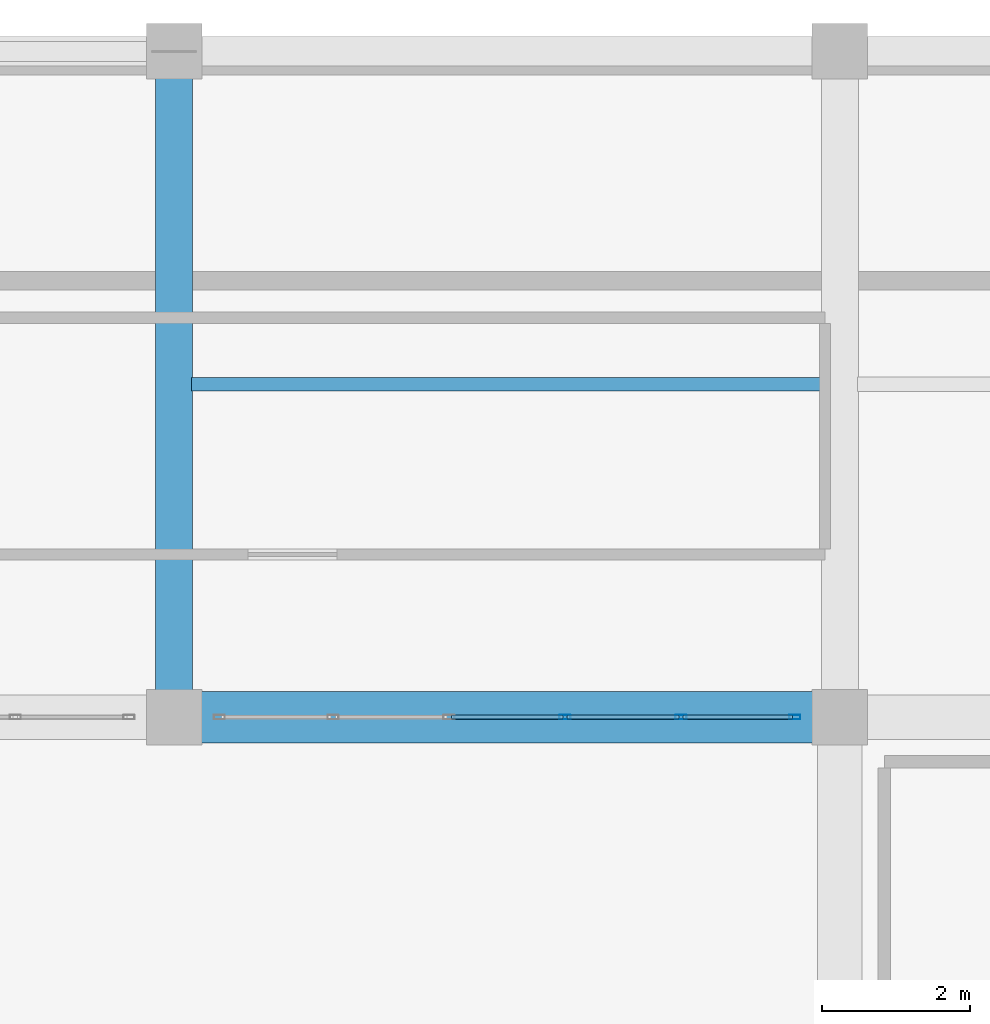
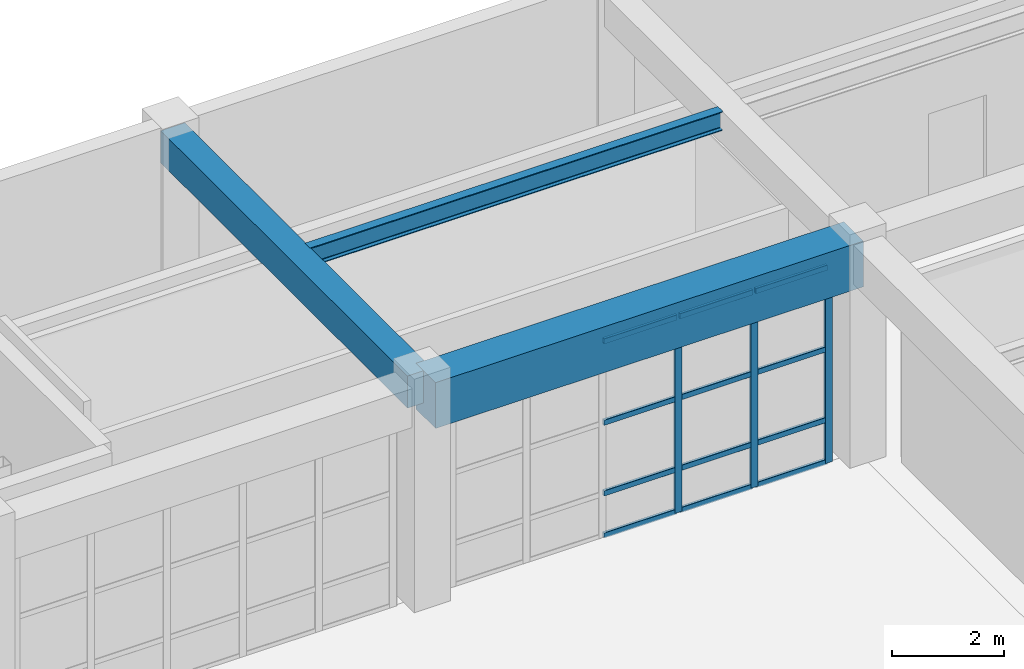
# One storey, part 82 of 128: 15 members, 3 beams, 1 element without a shape of its own.
"""IFC4 building model written with IfcOpenShell, lengths in metres."""

from ifc_helpers import new_model, si_unit, direction, frame, origin, origin_2d, place, context, subcontext, project, spatial, rectangle, hollow_rectangle, i_section, extrude, material, material_profile, profile_set, type_object, element, aggregate, save


model = new_model("IFC4")

# Units and contexts
model_context = context("Model", 3, precision=1e-05, world=origin(), true_north=direction((0.0, 1.0)))
body_context = subcontext(model_context, "Body", "Model", "MODEL_VIEW")
ifc_project = project(units=[si_unit("LENGTHUNIT", "METRE"), si_unit("AREAUNIT", "SQUARE_METRE"), si_unit("VOLUMEUNIT", "CUBIC_METRE"), si_unit("PLANEANGLEUNIT", "RADIAN"), si_unit("MASSUNIT", "GRAM", prefix="KILO")], contexts=[model_context])

# Site, building, storey
site_placement = place(None, origin())
site = spatial("IfcSite", under=ifc_project, at=site_placement, CompositionType="ELEMENT")
building_placement = place(site_placement, origin())
building = spatial("IfcBuilding", under=site, at=building_placement, Name="Miravela Opera House", CompositionType="ELEMENT")
storey_placement = place(building_placement, origin())
storey = spatial("IfcBuildingStorey", under=building, at=storey_placement, Name="L00", CompositionType="ELEMENT", Elevation=0.0)

# Curtain wall, members
ifc_material_1 = material(Name="Anodised architectural bronze aluminium 6063-T6", Category="aluminium")
curtain_wall_type = type_object("IfcCurtainWallType", Name="ARC-CW-05", PredefinedType="NOTDEFINED", material=ifc_material_1)
curtain_wall_placement = place(storey_placement, origin())
curtain_wall = element("IfcCurtainWall", 1, at=curtain_wall_placement, inside=storey, type_object=curtain_wall_type, Name="Courtyard Arcade Curtain Wall CW-L00-165", PredefinedType="NOTDEFINED")
ifc_material_profile_1 = material_profile(ifc_material_1, hollow_rectangle(XDim=0.06005859375, YDim=0.14990234375, WallThickness=0.00390625, InnerFilletRadius=0.001953125, OuterFilletRadius=0.00390625, at=origin_2d()), Name="CWM-60X150")
ifc_profile_set_1 = profile_set([ifc_material_profile_1])
member_type_1 = type_object("IfcMemberType", Name="ARC-CWM-150", PredefinedType="MULLION", material=ifc_profile_set_1)
member_1_placement = place(storey_placement, frame((140.283935546875, 103.0, 0.0), z_axis=(0.0, 0.0, 1.0), x_axis=(0.0, 1.0, 0.0)))
member_1 = element("IfcMember", 2, at=member_1_placement, type_object=member_type_1, Name="CW-05 mullion 4", PredefinedType="MULLION", context=body_context, shape_type="SweptSolid", body=[
    extrude(hollow_rectangle(XDim=0.06005859375, YDim=0.14990234375, WallThickness=0.00390625, InnerFilletRadius=0.001953125, OuterFilletRadius=0.00390625, at=origin_2d()), origin(), (0.0, 0.0, 1.0), 4.300048828125),
])
member_2_placement = place(storey_placement, frame((141.85205078125, 103.0, 0.0), z_axis=(0.0, 0.0, 1.0), x_axis=(0.0, 1.0, 0.0)))
member_2 = element("IfcMember", 3, at=member_2_placement, type_object=member_type_1, Name="CW-05 mullion 5", PredefinedType="MULLION", context=body_context, shape_type="SweptSolid", body=[
    extrude(hollow_rectangle(XDim=0.06005859375, YDim=0.14990234375, WallThickness=0.00390625, InnerFilletRadius=0.001953125, OuterFilletRadius=0.00390625, at=origin_2d()), origin(), (0.0, 0.0, 1.0), 4.300048828125),
])
member_3_placement = place(storey_placement, frame((143.389892578125, 103.0, 0.0), z_axis=(0.0, 0.0, 1.0), x_axis=(0.0, 1.0, 0.0)))
member_3 = element("IfcMember", 4, at=member_3_placement, type_object=member_type_1, Name="CW-05 mullion 6", PredefinedType="MULLION", context=body_context, shape_type="SweptSolid", body=[
    extrude(hollow_rectangle(XDim=0.06005859375, YDim=0.14990234375, WallThickness=0.00390625, InnerFilletRadius=0.001953125, OuterFilletRadius=0.00390625, at=origin_2d()), origin(), (0.0, 0.0, 1.0), 4.300048828125),
])
ifc_material_profile_2 = material_profile(ifc_material_1, hollow_rectangle(XDim=0.06005859375, YDim=0.114990234375, WallThickness=0.00390625, InnerFilletRadius=0.001953125, OuterFilletRadius=0.00390625, at=origin_2d()), Name="CWT-60X115")
ifc_profile_set_2 = profile_set([ifc_material_profile_2])
member_type_2 = type_object("IfcMemberType", Name="ARC-CWT-115", PredefinedType="USERDEFINED", material=ifc_profile_set_2)
member_4_placement = place(storey_placement, frame((138.74609375, 103.0, 0.030029296875), z_axis=(1.0, 0.0, 0.0), x_axis=(0.0, 1.0, 0.0)))
member_4 = element("IfcMember", 5, at=member_4_placement, type_object=member_type_2, Name="CW-05 transom 3.1", ObjectType="TRANSOM", PredefinedType="USERDEFINED", context=body_context, shape_type="SweptSolid", body=[
    extrude(hollow_rectangle(XDim=0.06005859375, YDim=0.114990234375, WallThickness=0.00390625, InnerFilletRadius=0.001953125, OuterFilletRadius=0.00390625, at=origin_2d()), origin(), (0.0, 0.0, 1.0), 1.5078125),
])
member_5_placement = place(storey_placement, frame((138.74609375, 103.0, 0.949951171875), z_axis=(1.0, 0.0, 0.0), x_axis=(0.0, 1.0, 0.0)))
member_5 = element("IfcMember", 6, at=member_5_placement, type_object=member_type_2, Name="CW-05 transom 3.2", ObjectType="TRANSOM", PredefinedType="USERDEFINED", context=body_context, shape_type="SweptSolid", body=[
    extrude(hollow_rectangle(XDim=0.06005859375, YDim=0.114990234375, WallThickness=0.00390625, InnerFilletRadius=0.001953125, OuterFilletRadius=0.00390625, at=origin_2d()), origin(), (0.0, 0.0, 1.0), 1.5078125),
])
member_6_placement = place(storey_placement, frame((138.74609375, 103.0, 2.493896484375), z_axis=(1.0, 0.0, 0.0), x_axis=(0.0, 1.0, 0.0)))
member_6 = element("IfcMember", 7, at=member_6_placement, type_object=member_type_2, Name="CW-05 transom 3.3", ObjectType="TRANSOM", PredefinedType="USERDEFINED", context=body_context, shape_type="SweptSolid", body=[
    extrude(hollow_rectangle(XDim=0.06005859375, YDim=0.114990234375, WallThickness=0.00390625, InnerFilletRadius=0.001953125, OuterFilletRadius=0.00390625, at=origin_2d()), origin(), (0.0, 0.0, 1.0), 1.5078125),
])
member_7_placement = place(storey_placement, frame((138.74609375, 103.0, 4.27001953125), z_axis=(1.0, 0.0, 0.0), x_axis=(0.0, 1.0, 0.0)))
member_7 = element("IfcMember", 8, at=member_7_placement, type_object=member_type_2, Name="CW-05 transom 3.4", ObjectType="TRANSOM", PredefinedType="USERDEFINED", context=body_context, shape_type="SweptSolid", body=[
    extrude(hollow_rectangle(XDim=0.06005859375, YDim=0.114990234375, WallThickness=0.00390625, InnerFilletRadius=0.001953125, OuterFilletRadius=0.00390625, at=origin_2d()), origin(), (0.0, 0.0, 1.0), 1.5078125),
])
member_8_placement = place(storey_placement, frame((140.31396484375, 103.0, 0.030029296875), z_axis=(1.0, 0.0, 0.0), x_axis=(0.0, 1.0, 0.0)))
member_8 = element("IfcMember", 9, at=member_8_placement, type_object=member_type_2, Name="CW-05 transom 4.1", ObjectType="TRANSOM", PredefinedType="USERDEFINED", context=body_context, shape_type="SweptSolid", body=[
    extrude(hollow_rectangle(XDim=0.06005859375, YDim=0.114990234375, WallThickness=0.00390625, InnerFilletRadius=0.001953125, OuterFilletRadius=0.00390625, at=origin_2d()), origin(), (0.0, 0.0, 1.0), 1.508056640625),
])
member_9_placement = place(storey_placement, frame((140.31396484375, 103.0, 0.949951171875), z_axis=(1.0, 0.0, 0.0), x_axis=(0.0, 1.0, 0.0)))
member_9 = element("IfcMember", 10, at=member_9_placement, type_object=member_type_2, Name="CW-05 transom 4.2", ObjectType="TRANSOM", PredefinedType="USERDEFINED", context=body_context, shape_type="SweptSolid", body=[
    extrude(hollow_rectangle(XDim=0.06005859375, YDim=0.114990234375, WallThickness=0.00390625, InnerFilletRadius=0.001953125, OuterFilletRadius=0.00390625, at=origin_2d()), origin(), (0.0, 0.0, 1.0), 1.508056640625),
])
member_10_placement = place(storey_placement, frame((140.31396484375, 103.0, 2.493896484375), z_axis=(1.0, 0.0, 0.0), x_axis=(0.0, 1.0, 0.0)))
member_10 = element("IfcMember", 11, at=member_10_placement, type_object=member_type_2, Name="CW-05 transom 4.3", ObjectType="TRANSOM", PredefinedType="USERDEFINED", context=body_context, shape_type="SweptSolid", body=[
    extrude(hollow_rectangle(XDim=0.06005859375, YDim=0.114990234375, WallThickness=0.00390625, InnerFilletRadius=0.001953125, OuterFilletRadius=0.00390625, at=origin_2d()), origin(), (0.0, 0.0, 1.0), 1.508056640625),
])
member_11_placement = place(storey_placement, frame((140.31396484375, 103.0, 4.27001953125), z_axis=(1.0, 0.0, 0.0), x_axis=(0.0, 1.0, 0.0)))
member_11 = element("IfcMember", 12, at=member_11_placement, type_object=member_type_2, Name="CW-05 transom 4.4", ObjectType="TRANSOM", PredefinedType="USERDEFINED", context=body_context, shape_type="SweptSolid", body=[
    extrude(hollow_rectangle(XDim=0.06005859375, YDim=0.114990234375, WallThickness=0.00390625, InnerFilletRadius=0.001953125, OuterFilletRadius=0.00390625, at=origin_2d()), origin(), (0.0, 0.0, 1.0), 1.508056640625),
])
member_12_placement = place(storey_placement, frame((141.882080078125, 103.0, 0.030029296875), z_axis=(1.0, 0.0, 0.0), x_axis=(0.0, 1.0, 0.0)))
member_12 = element("IfcMember", 13, at=member_12_placement, type_object=member_type_2, Name="CW-05 transom 5.1", ObjectType="TRANSOM", PredefinedType="USERDEFINED", context=body_context, shape_type="SweptSolid", body=[
    extrude(hollow_rectangle(XDim=0.06005859375, YDim=0.114990234375, WallThickness=0.00390625, InnerFilletRadius=0.001953125, OuterFilletRadius=0.00390625, at=origin_2d()), origin(), (0.0, 0.0, 1.0), 1.47802734375),
])
member_13_placement = place(storey_placement, frame((141.882080078125, 103.0, 0.949951171875), z_axis=(1.0, 0.0, 0.0), x_axis=(0.0, 1.0, 0.0)))
member_13 = element("IfcMember", 14, at=member_13_placement, type_object=member_type_2, Name="CW-05 transom 5.2", ObjectType="TRANSOM", PredefinedType="USERDEFINED", context=body_context, shape_type="SweptSolid", body=[
    extrude(hollow_rectangle(XDim=0.06005859375, YDim=0.114990234375, WallThickness=0.00390625, InnerFilletRadius=0.001953125, OuterFilletRadius=0.00390625, at=origin_2d()), origin(), (0.0, 0.0, 1.0), 1.47802734375),
])
member_14_placement = place(storey_placement, frame((141.882080078125, 103.0, 2.493896484375), z_axis=(1.0, 0.0, 0.0), x_axis=(0.0, 1.0, 0.0)))
member_14 = element("IfcMember", 15, at=member_14_placement, type_object=member_type_2, Name="CW-05 transom 5.3", ObjectType="TRANSOM", PredefinedType="USERDEFINED", context=body_context, shape_type="SweptSolid", body=[
    extrude(hollow_rectangle(XDim=0.06005859375, YDim=0.114990234375, WallThickness=0.00390625, InnerFilletRadius=0.001953125, OuterFilletRadius=0.00390625, at=origin_2d()), origin(), (0.0, 0.0, 1.0), 1.47802734375),
])
member_15_placement = place(storey_placement, frame((141.882080078125, 103.0, 4.27001953125), z_axis=(1.0, 0.0, 0.0), x_axis=(0.0, 1.0, 0.0)))
member_15 = element("IfcMember", 16, at=member_15_placement, type_object=member_type_2, Name="CW-05 transom 5.4", ObjectType="TRANSOM", PredefinedType="USERDEFINED", context=body_context, shape_type="SweptSolid", body=[
    extrude(hollow_rectangle(XDim=0.06005859375, YDim=0.114990234375, WallThickness=0.00390625, InnerFilletRadius=0.001953125, OuterFilletRadius=0.00390625, at=origin_2d()), origin(), (0.0, 0.0, 1.0), 1.47802734375),
])
aggregate(curtain_wall, [member_1, member_2, member_3, member_4, member_5, member_6, member_7, member_8, member_9, member_10, member_11, member_12, member_13, member_14, member_15])

# Beams
ifc_material_2 = material(Name="Concrete C35/45", Category="concrete")
ifc_material_profile_3 = material_profile(ifc_material_2, rectangle(XDim=0.5, YDim=0.699951171875, at=origin_2d()), Name="RC-BM-500X700")
ifc_profile_set_3 = profile_set([ifc_material_profile_3])
beam_type_1 = type_object("IfcBeamType", Name="STR-BM-RC500X700", PredefinedType="BEAM", material=ifc_profile_set_3)
beam_1_placement = place(storey_placement, frame((135.0, 103.080078125, 4.5), z_axis=(0.0, 1.0, 0.0), x_axis=(-1.0, 0.0, 0.0)))
element("IfcBeam", 17, at=beam_1_placement, inside=storey, type_object=beam_type_1, Name="Floor Girder L00 16/L-M", PredefinedType="BEAM", context=body_context, shape_type="SweptSolid", body=[
    extrude(rectangle(XDim=0.5, YDim=0.699951171875, at=origin_2d()), origin(), (0.0, 0.0, 1.0), 8.83984375),
])
ifc_material_3 = material(Name="Concrete C40/50", Category="concrete")
ifc_material_profile_4 = material_profile(ifc_material_3, rectangle(XDim=0.699951171875, YDim=1.0, at=origin_2d()), Name="RC-BM-700X1000")
ifc_profile_set_4 = profile_set([ifc_material_profile_4])
beam_type_2 = type_object("IfcBeamType", Name="STR-BM-RC700X1000", PredefinedType="BEAM", material=ifc_profile_set_4)
beam_2_placement = place(storey_placement, frame((135.080078125, 103.0, 4.35009765625), z_axis=(1.0, 0.0, 0.0), x_axis=(0.0, 1.0, 0.0)))
element("IfcBeam", 18, at=beam_2_placement, inside=storey, type_object=beam_type_2, Name="Floor Girder L00 16-17/L", PredefinedType="BEAM", context=body_context, shape_type="SweptSolid", body=[
    extrude(rectangle(XDim=0.699951171875, YDim=1.0, at=origin_2d()), origin(), (0.0, 0.0, 1.0), 8.83984375),
])
ifc_material_4 = material(Name="Structural steel ASTM A992 Gr. 50", Category="steel")
ifc_material_profile_5 = material_profile(ifc_material_4, i_section(OverallWidth=0.180908203125, OverallDepth=0.4169921875, WebThickness=0.010986328125, FlangeThickness=0.018310546875, FilletRadius=0.013916015625, at=origin_2d()), Name="W410X85")
ifc_profile_set_5 = profile_set([ifc_material_profile_5])
beam_type_3 = type_object("IfcBeamType", Name="STR-BM-W410X85", PredefinedType="JOIST", material=ifc_profile_set_5)
beam_3_placement = place(storey_placement, frame((135.235107421875, 107.5, 4.6416015625), z_axis=(1.0, 0.0, 0.0), x_axis=(0.0, 1.0, 0.0)))
element("IfcBeam", 19, at=beam_3_placement, inside=storey, type_object=beam_type_3, Name="Secondary Floor Joist L00 16-17/L-M", PredefinedType="JOIST", context=body_context, shape_type="SweptSolid", body=[
    extrude(i_section(OverallWidth=0.180908203125, OverallDepth=0.4169921875, WebThickness=0.010986328125, FlangeThickness=0.018310546875, FilletRadius=0.013916015625, at=origin_2d()), origin(), (0.0, 0.0, 1.0), 8.52978515625),
])

save(model, "model.ifc")
